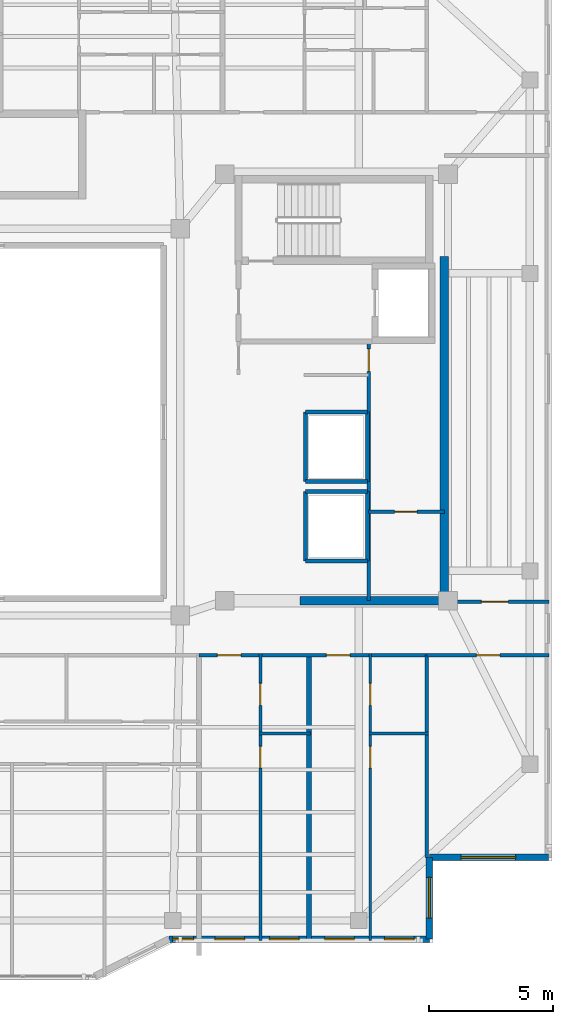
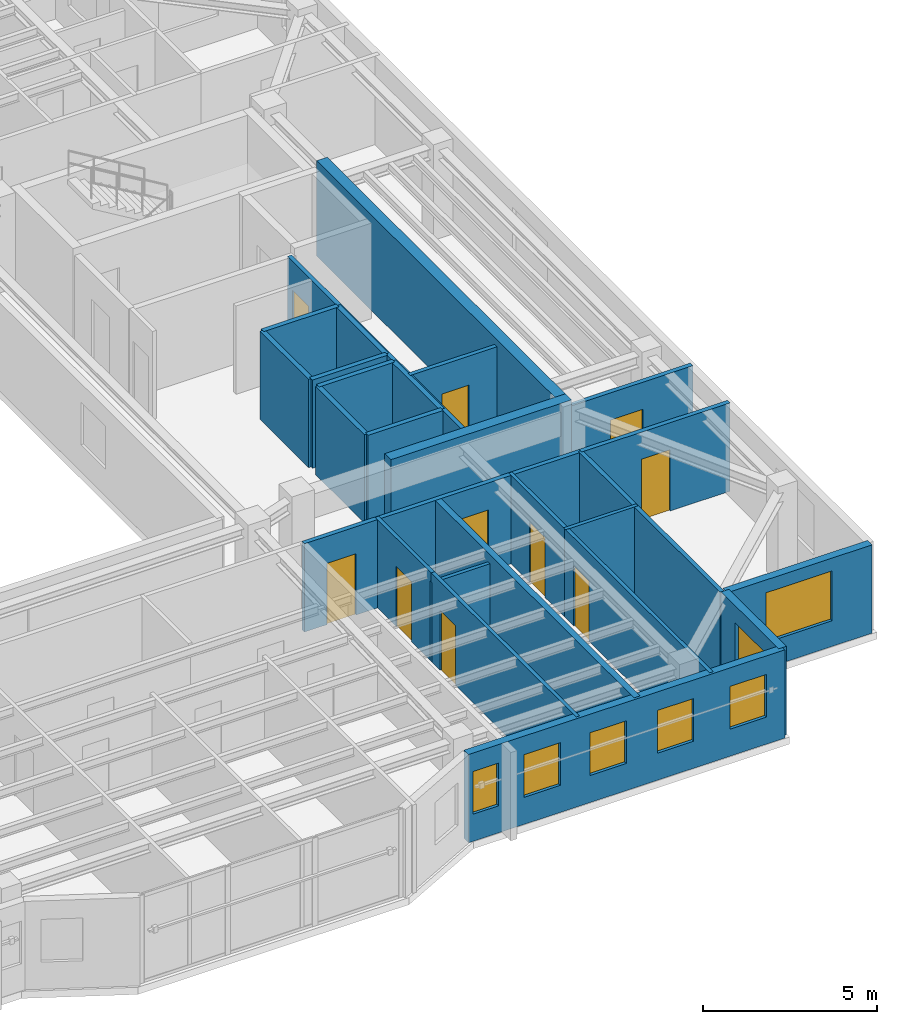
# One storey, part 8 of 14: 26 walls, 10 doors, 7 windows, 17 openings.
"""IFC4 building model written with IfcOpenShell, lengths in metres."""

from ifc_helpers import new_model, si_unit, direction, frame, frame_2d, origin, place, context, subcontext, project, spatial, rectangle, extrude, material, layer, layer_set, type_object, element, fill, save


model = new_model("IFC4")

# Units and contexts
model_context = context("Model", 3, precision=1e-05, world=origin(), true_north=direction((0.0, 1.0)))
body_context = subcontext(model_context, "Body", "Model", "MODEL_VIEW")
ifc_project = project(units=[si_unit("LENGTHUNIT", "METRE"), si_unit("AREAUNIT", "SQUARE_METRE"), si_unit("VOLUMEUNIT", "CUBIC_METRE"), si_unit("PLANEANGLEUNIT", "RADIAN"), si_unit("MASSUNIT", "GRAM", prefix="KILO")], contexts=[model_context])

# Site, building, storey
site_placement = place(None, origin())
site = spatial("IfcSite", under=ifc_project, at=site_placement, CompositionType="ELEMENT")
building_placement = place(site_placement, origin())
building = spatial("IfcBuilding", under=site, at=building_placement, Name="Tarnavaz Court Tower", CompositionType="ELEMENT")
storey_placement = place(building_placement, frame((0.0, 0.0, 264.949951171875)))
storey = spatial("IfcBuildingStorey", under=building, at=storey_placement, Name="L72", CompositionType="ELEMENT", Elevation=264.949951171875)

# Walls
ifc_material_1 = material(Name="Concrete C50/60", Category="concrete")
ifc_layer_1 = layer(ifc_material_1, 0.35009765625)
ifc_layer_set_1 = layer_set([ifc_layer_1], Name="Concrete C50/60")
wall_type_1 = type_object("IfcWallType", Name="WL-CORE-350-C50", PredefinedType="SHEAR", material=ifc_layer_set_1)
wall_1_placement = place(storey_placement, frame((18.449951171875, -7.375, 0.0), z_axis=(0.0, 0.0, 1.0), x_axis=(0.0, 1.0, 0.0)))
element("IfcWall", 1, at=wall_1_placement, inside=storey, type_object=wall_type_1, Name="L72 East Core Shear Wall 047", PredefinedType="SHEAR", context=body_context, shape_type="SweptSolid", body=[
    extrude(rectangle(XDim=14.050048828125, YDim=0.35009765625, at=frame_2d((7.02490234375, 0.0))), origin(), (0.0, 0.0, 1.0), 3.35009765625),
])
wall_2_placement = place(storey_placement, frame((12.625, -7.199951171875, 0.0), z_axis=(0.0, 0.0, 1.0), x_axis=(1.0, 0.0, 0.0)))
element("IfcWall", 2, at=wall_2_placement, inside=storey, type_object=wall_type_1, Name="L72 East Core South Shear Wall 048", PredefinedType="SHEAR", context=body_context, shape_type="SweptSolid", body=[
    extrude(rectangle(XDim=6.0, YDim=0.35009765625, at=frame_2d((3.0, 0.0))), origin(), (0.0, 0.0, 1.0), 3.35009765625),
])

# Wall, opening, window
ifc_material_2 = material(Name="Precast Concrete C40/50", Category="concrete")
ifc_layer_2 = layer(ifc_material_2, 0.260009765625)
ifc_layer_set_2 = layer_set([ifc_layer_2], Name="Precast Concrete C40/50")
wall_type_2 = type_object("IfcWallType", Name="WL-EXT-260", PredefinedType="SOLIDWALL", material=ifc_layer_set_2)
wall_3_placement = place(storey_placement, frame((22.64990234375, -17.550048828125, 0.0), z_axis=(0.0, 0.0, 1.0), x_axis=(-1.0, 0.0, 0.0)))
wall_3 = element("IfcWall", 3, at=wall_3_placement, inside=storey, type_object=wall_type_2, Name="L72 Exterior Terracotta Facade Wall 13", PredefinedType="SOLIDWALL", context=body_context, shape_type="SweptSolid", body=[
    extrude(rectangle(XDim=4.7998046875, YDim=0.260009765625, at=frame_2d((2.39990234375, 0.0))), origin(), (0.0, 0.0, 1.0), 3.10009765625),
])
opening_1_placement = place(wall_3_placement, frame((1.3251953125, 0.0, 0.89990234375)))
opening_1 = element("IfcOpeningElement", 4, at=opening_1_placement, cuts=wall_3, Name="Opening W07", PredefinedType="OPENING", context=body_context, shape_type="SweptSolid", body=[
    extrude(rectangle(XDim=2.199951171875, YDim=1.75, at=frame_2d((1.10009765625, 0.875))), frame((0.0, 0.139892578125, 0.0), z_axis=(0.0, -1.0, 0.0), x_axis=(1.0, 0.0, 0.0)), (0.0, 0.0, 1.0), 0.280029296875),
])
ifc_material_3 = material(Name="Double-Glazed Solar Low-E Glass", Category="glass")
window_type_1 = type_object("IfcWindowType", Name="WN-APT-2200", PartitioningType="TRIPLE_PANEL_VERTICAL", PredefinedType="WINDOW", material=ifc_material_3)
window_1_placement = place(opening_1_placement, origin())
window_1 = element("IfcWindow", 5, at=window_1_placement, inside=storey, type_object=window_type_1, Name="L72 South-East Corner Reading Room Window", OverallHeight=1.75, OverallWidth=2.199951171875, PartitioningType="SINGLE_PANEL", PredefinedType="WINDOW", context=body_context, shape_type="SweptSolid", body=[
    extrude(rectangle(XDim=2.199951171875, YDim=1.75, at=frame_2d((1.10009765625, 0.875))), frame((0.0, 0.030029296875, 0.0), z_axis=(0.0, -1.0, 0.0), x_axis=(1.0, 0.0, 0.0)), (0.0, 0.0, 1.0), 0.06005859375),
])
fill(opening_1, window_1)

wall_4_placement = place(storey_placement, frame((17.85009765625, -17.550048828125, 0.0), z_axis=(0.0, 0.0, 1.0), x_axis=(0.0, -1.0, 0.0)))
wall_4 = element("IfcWall", 6, at=wall_4_placement, inside=storey, type_object=wall_type_2, Name="L72 Exterior Terracotta Facade Wall 14", PredefinedType="SOLIDWALL", context=body_context, shape_type="SweptSolid", body=[
    extrude(rectangle(XDim=3.300048828125, YDim=0.260009765625, at=frame_2d((1.64990234375, 0.0))), origin(), (0.0, 0.0, 1.0), 3.10009765625),
])
opening_2_placement = place(wall_4_placement, frame((0.8076171875, 0.0, 0.89990234375)))
opening_2 = element("IfcOpeningElement", 7, at=opening_2_placement, cuts=wall_4, Name="Opening W02", PredefinedType="OPENING", context=body_context, shape_type="SweptSolid", body=[
    extrude(rectangle(XDim=1.64990234375, YDim=1.60009765625, at=frame_2d((0.824951171875, 0.800048828125))), frame((0.0, 0.139892578125, 0.0), z_axis=(0.0, -1.0, 0.0), x_axis=(1.0, 0.0, 0.0)), (0.0, 0.0, 1.0), 0.280029296875),
])
window_type_2 = type_object("IfcWindowType", Name="WN-APT-1650", PartitioningType="DOUBLE_PANEL_VERTICAL", PredefinedType="WINDOW", material=ifc_material_3)
window_2_placement = place(opening_2_placement, origin())
window_2 = element("IfcWindow", 8, at=window_2_placement, inside=storey, type_object=window_type_2, Name="L72 Flat 09 Kitchen Window", OverallHeight=1.60009765625, OverallWidth=1.64990234375, PartitioningType="SINGLE_PANEL", PredefinedType="WINDOW", context=body_context, shape_type="SweptSolid", body=[
    extrude(rectangle(XDim=1.64990234375, YDim=1.60009765625, at=frame_2d((0.824951171875, 0.800048828125))), frame((0.0, 0.030029296875, 0.0), z_axis=(0.0, -1.0, 0.0), x_axis=(1.0, 0.0, 0.0)), (0.0, 0.0, 1.0), 0.06005859375),
])
fill(opening_2, window_2)

# Wall, openings, windows
wall_5_placement = place(storey_placement, frame((17.85009765625, -20.85009765625, 0.0), z_axis=(0.0, 0.0, 1.0), x_axis=(-1.0, 0.0, 0.0)))
wall_5 = element("IfcWall", 9, at=wall_5_placement, inside=storey, type_object=wall_type_2, Name="L72 Exterior Terracotta Facade Wall 15", PredefinedType="SOLIDWALL", context=body_context, shape_type="SweptSolid", body=[
    extrude(rectangle(XDim=10.5, YDim=0.260009765625, at=frame_2d((5.25, 0.0))), origin(), (0.0, 0.0, 1.0), 3.10009765625),
])
opening_3_placement = place(wall_5_placement, frame((0.613037109375, 0.0, 0.949951171875)))
opening_3 = element("IfcOpeningElement", 10, at=opening_3_placement, cuts=wall_5, Name="Opening W05", PredefinedType="OPENING", context=body_context, shape_type="SweptSolid", body=[
    extrude(rectangle(XDim=1.199951171875, YDim=1.5, at=frame_2d((0.60009765625, 0.75))), frame((0.0, 0.139892578125, 0.0), z_axis=(0.0, -1.0, 0.0), x_axis=(1.0, 0.0, 0.0)), (0.0, 0.0, 1.0), 0.280029296875),
])
opening_4_placement = place(wall_5_placement, frame((3.02490234375, 0.0, 0.949951171875)))
opening_4 = element("IfcOpeningElement", 11, at=opening_4_placement, cuts=wall_5, Name="Opening W05", PredefinedType="OPENING", context=body_context, shape_type="SweptSolid", body=[
    extrude(rectangle(XDim=1.199951171875, YDim=1.5, at=frame_2d((0.60009765625, 0.75))), frame((0.0, 0.139892578125, 0.0), z_axis=(0.0, -1.0, 0.0), x_axis=(1.0, 0.0, 0.0)), (0.0, 0.0, 1.0), 0.280029296875),
])
opening_5_placement = place(wall_5_placement, frame((5.258056640625, 0.0, 0.949951171875)))
opening_5 = element("IfcOpeningElement", 12, at=opening_5_placement, cuts=wall_5, Name="Opening W05", PredefinedType="OPENING", context=body_context, shape_type="SweptSolid", body=[
    extrude(rectangle(XDim=1.199951171875, YDim=1.5, at=frame_2d((0.60009765625, 0.75))), frame((0.0, 0.139892578125, 0.0), z_axis=(0.0, -1.0, 0.0), x_axis=(1.0, 0.0, 0.0)), (0.0, 0.0, 1.0), 0.280029296875),
])
opening_6_placement = place(wall_5_placement, frame((7.449951171875, 0.0, 0.949951171875)))
opening_6 = element("IfcOpeningElement", 13, at=opening_6_placement, cuts=wall_5, Name="Opening W05", PredefinedType="OPENING", context=body_context, shape_type="SweptSolid", body=[
    extrude(rectangle(XDim=1.199951171875, YDim=1.5, at=frame_2d((0.60009765625, 0.75))), frame((0.0, 0.139892578125, 0.0), z_axis=(0.0, -1.0, 0.0), x_axis=(1.0, 0.0, 0.0)), (0.0, 0.0, 1.0), 0.280029296875),
])
opening_7_placement = place(wall_5_placement, frame((9.5048828125, 0.0, 0.949951171875)))
opening_7 = element("IfcOpeningElement", 14, at=opening_7_placement, cuts=wall_5, Name="Opening W15", PredefinedType="OPENING", context=body_context, shape_type="SweptSolid", body=[
    extrude(rectangle(XDim=0.85009765625, YDim=1.5, at=frame_2d((0.425048828125, 0.75))), frame((0.0, 0.139892578125, 0.0), z_axis=(0.0, -1.0, 0.0), x_axis=(1.0, 0.0, 0.0)), (0.0, 0.0, 1.0), 0.280029296875),
])
window_type_3 = type_object("IfcWindowType", Name="WN-APT-1200", PartitioningType="SINGLE_PANEL", PredefinedType="WINDOW", material=ifc_material_3)
window_3_placement = place(opening_3_placement, origin())
window_3 = element("IfcWindow", 15, at=window_3_placement, inside=storey, type_object=window_type_3, Name="L72 Flat 09 Kitchen Window", OverallHeight=1.5, OverallWidth=1.199951171875, PartitioningType="SINGLE_PANEL", PredefinedType="WINDOW", context=body_context, shape_type="SweptSolid", body=[
    extrude(rectangle(XDim=1.199951171875, YDim=1.5, at=frame_2d((0.60009765625, 0.75))), frame((0.0, 0.030029296875, 0.0), z_axis=(0.0, -1.0, 0.0), x_axis=(1.0, 0.0, 0.0)), (0.0, 0.0, 1.0), 0.06005859375),
])
fill(opening_3, window_3)
window_4_placement = place(opening_4_placement, origin())
window_4 = element("IfcWindow", 16, at=window_4_placement, inside=storey, type_object=window_type_3, Name="L72 Flat 09 Studio Living and Sleeping Room Window", OverallHeight=1.5, OverallWidth=1.199951171875, PartitioningType="SINGLE_PANEL", PredefinedType="WINDOW", context=body_context, shape_type="SweptSolid", body=[
    extrude(rectangle(XDim=1.199951171875, YDim=1.5, at=frame_2d((0.60009765625, 0.75))), frame((0.0, 0.030029296875, 0.0), z_axis=(0.0, -1.0, 0.0), x_axis=(1.0, 0.0, 0.0)), (0.0, 0.0, 1.0), 0.06005859375),
])
fill(opening_4, window_4)
window_5_placement = place(opening_5_placement, origin())
window_5 = element("IfcWindow", 17, at=window_5_placement, inside=storey, type_object=window_type_3, Name="L72 Flat 08 Kitchen Window", OverallHeight=1.5, OverallWidth=1.199951171875, PartitioningType="SINGLE_PANEL", PredefinedType="WINDOW", context=body_context, shape_type="SweptSolid", body=[
    extrude(rectangle(XDim=1.199951171875, YDim=1.5, at=frame_2d((0.60009765625, 0.75))), frame((0.0, 0.030029296875, 0.0), z_axis=(0.0, -1.0, 0.0), x_axis=(1.0, 0.0, 0.0)), (0.0, 0.0, 1.0), 0.06005859375),
])
fill(opening_5, window_5)
window_6_placement = place(opening_6_placement, origin())
window_6 = element("IfcWindow", 18, at=window_6_placement, inside=storey, type_object=window_type_3, Name="L72 Flat 08 Studio Living and Sleeping Room Window", OverallHeight=1.5, OverallWidth=1.199951171875, PartitioningType="SINGLE_PANEL", PredefinedType="WINDOW", context=body_context, shape_type="SweptSolid", body=[
    extrude(rectangle(XDim=1.199951171875, YDim=1.5, at=frame_2d((0.60009765625, 0.75))), frame((0.0, 0.030029296875, 0.0), z_axis=(0.0, -1.0, 0.0), x_axis=(1.0, 0.0, 0.0)), (0.0, 0.0, 1.0), 0.06005859375),
])
fill(opening_6, window_6)
window_type_4 = type_object("IfcWindowType", Name="WN-APT-850", PartitioningType="SINGLE_PANEL", PredefinedType="WINDOW", material=ifc_material_3)
window_7_placement = place(opening_7_placement, origin())
window_7 = element("IfcWindow", 19, at=window_7_placement, inside=storey, type_object=window_type_4, Name="L72 Flat 10 Bedroom 3 Window", OverallHeight=1.5, OverallWidth=0.85009765625, PartitioningType="SINGLE_PANEL", PredefinedType="WINDOW", context=body_context, shape_type="SweptSolid", body=[
    extrude(rectangle(XDim=0.85009765625, YDim=1.5, at=frame_2d((0.425048828125, 0.75))), frame((0.0, 0.030029296875, 0.0), z_axis=(0.0, -1.0, 0.0), x_axis=(1.0, 0.0, 0.0)), (0.0, 0.0, 1.0), 0.06005859375),
])
fill(opening_7, window_7)

# Wall, openings, doors
ifc_material_4 = material(Name="Gypsum Fire-Board on Acoustic Metal Stud", Category="masonry")
ifc_layer_3 = layer(ifc_material_4, 0.14990234375)
ifc_layer_set_3 = layer_set([ifc_layer_3], Name="Gypsum Fire-Board on Acoustic Metal Stud")
wall_type_3 = type_object("IfcWallType", Name="WL-FIRE-150", PredefinedType="PARTITIONING", material=ifc_layer_set_3)
wall_6_placement = place(storey_placement, frame((8.550048828125, -9.39990234375, 0.0), z_axis=(0.0, 0.0, 1.0), x_axis=(1.0, 0.0, 0.0)))
wall_6 = element("IfcWall", 20, at=wall_6_placement, inside=storey, type_object=wall_type_3, Name="L72 SE Lobby Wall 059", PredefinedType="PARTITIONING", context=body_context, shape_type="SweptSolid", body=[
    extrude(rectangle(XDim=9.199951171875, YDim=0.14990234375, at=frame_2d((4.60009765625, 0.0))), origin(), (0.0, 0.0, 1.0), 3.10009765625),
])
opening_8_placement = place(wall_6_placement, frame((0.75, 0.0, 0.0)))
opening_8 = element("IfcOpeningElement", 21, at=opening_8_placement, cuts=wall_6, Name="Opening D06", PredefinedType="OPENING", context=body_context, shape_type="SweptSolid", body=[
    extrude(rectangle(XDim=0.9599609375, YDim=2.14990234375, at=frame_2d((0.47998046875, 1.074951171875))), frame((0.0, 0.0849609375, 0.0), z_axis=(0.0, -1.0, 0.0), x_axis=(1.0, 0.0, 0.0)), (0.0, 0.0, 1.0), 0.169921875),
])
opening_9_placement = place(wall_6_placement, frame((5.14208984375, 0.0, 0.0)))
opening_9 = element("IfcOpeningElement", 22, at=opening_9_placement, cuts=wall_6, Name="Opening D06", PredefinedType="OPENING", context=body_context, shape_type="SweptSolid", body=[
    extrude(rectangle(XDim=0.9599609375, YDim=2.14990234375, at=frame_2d((0.47998046875, 1.074951171875))), frame((0.0, 0.0849609375, 0.0), z_axis=(0.0, -1.0, 0.0), x_axis=(1.0, 0.0, 0.0)), (0.0, 0.0, 1.0), 0.169921875),
])
ifc_material_5 = material(Name="Fire-Rated Hardwood Timber Core", Category="wood")
door_type_1 = type_object("IfcDoorType", Name="DR-FD60-950", OperationType="NOTDEFINED", PredefinedType="DOOR", material=ifc_material_5)
door_1_placement = place(opening_8_placement, origin())
door_1 = element("IfcDoor", 23, at=door_1_placement, inside=storey, type_object=door_type_1, Name="L72 Flat 08 Entrance Door", OperationType="SINGLE_SWING_LEFT", OverallHeight=2.14990234375, OverallWidth=0.9599609375, PredefinedType="DOOR", context=body_context, shape_type="SweptSolid", body=[
    extrude(rectangle(XDim=0.9599609375, YDim=2.14990234375, at=frame_2d((0.47998046875, 1.074951171875))), frame((0.0, 0.02490234375, 0.0), z_axis=(0.0, -1.0, 0.0), x_axis=(1.0, 0.0, 0.0)), (0.0, 0.0, 1.0), 0.050048828125),
])
fill(opening_8, door_1)
door_2_placement = place(opening_9_placement, origin())
door_2 = element("IfcDoor", 24, at=door_2_placement, inside=storey, type_object=door_type_1, Name="L72 Flat 09 Entrance Door", OperationType="SINGLE_SWING_RIGHT", OverallHeight=2.14990234375, OverallWidth=0.9599609375, PredefinedType="DOOR", context=body_context, shape_type="SweptSolid", body=[
    extrude(rectangle(XDim=0.9599609375, YDim=2.14990234375, at=frame_2d((0.47998046875, 1.074951171875))), frame((0.0, 0.02490234375, 0.0), z_axis=(0.0, -1.0, 0.0), x_axis=(1.0, 0.0, 0.0)), (0.0, 0.0, 1.0), 0.050048828125),
])
fill(opening_9, door_2)

# Wall, opening, door
wall_7_placement = place(storey_placement, frame((18.449951171875, -7.25, 0.0), z_axis=(0.0, 0.0, 1.0), x_axis=(1.0, 0.0, 0.0)))
wall_7 = element("IfcWall", 25, at=wall_7_placement, inside=storey, type_object=wall_type_3, Name="L72 Interior Partition 111", PredefinedType="PARTITIONING", context=body_context, shape_type="SweptSolid", body=[
    extrude(rectangle(XDim=4.22998046875, YDim=0.14990234375, at=frame_2d((2.114990234375, 0.0))), origin(), (0.0, 0.0, 1.0), 3.10009765625),
])
opening_10_placement = place(wall_7_placement, frame((1.5, 0.0, 0.0)))
opening_10 = element("IfcOpeningElement", 26, at=opening_10_placement, cuts=wall_7, Name="Opening D12", PredefinedType="OPENING", context=body_context, shape_type="SweptSolid", body=[
    extrude(rectangle(XDim=1.080078125, YDim=2.14990234375, at=frame_2d((0.5400390625, 1.074951171875))), frame((0.0, 0.0849609375, 0.0), z_axis=(0.0, -1.0, 0.0), x_axis=(1.0, 0.0, 0.0)), (0.0, 0.0, 1.0), 0.169921875),
])
ifc_material_6 = material(Name="Engineered Oak Timber", Category="wood")
door_type_2 = type_object("IfcDoorType", Name="DR-INT-1100", OperationType="NOTDEFINED", PredefinedType="DOOR", material=ifc_material_6)
door_3_placement = place(opening_10_placement, origin())
door_3 = element("IfcDoor", 27, at=door_3_placement, inside=storey, type_object=door_type_2, Name="L72 East Fitness Lounge Door", OperationType="SINGLE_SWING_LEFT", OverallHeight=2.14990234375, OverallWidth=1.080078125, PredefinedType="DOOR", context=body_context, shape_type="SweptSolid", body=[
    extrude(rectangle(XDim=1.080078125, YDim=2.14990234375, at=frame_2d((0.5400390625, 1.074951171875))), frame((0.0, 0.02490234375, 0.0), z_axis=(0.0, -1.0, 0.0), x_axis=(1.0, 0.0, 0.0)), (0.0, 0.0, 1.0), 0.050048828125),
])
fill(opening_10, door_3)

wall_8_placement = place(storey_placement, frame((17.75, -9.39990234375, 0.0), z_axis=(0.0, 0.0, 1.0), x_axis=(1.0, 0.0, 0.0)))
wall_8 = element("IfcWall", 28, at=wall_8_placement, inside=storey, type_object=wall_type_3, Name="L72 Interior Partition 120", PredefinedType="PARTITIONING", context=body_context, shape_type="SweptSolid", body=[
    extrude(rectangle(XDim=4.929931640625, YDim=0.14990234375, at=frame_2d((2.46484375, 0.0))), origin(), (0.0, 0.0, 1.0), 3.10009765625),
])
opening_11_placement = place(wall_8_placement, frame((1.989990234375, 0.0, 0.0)))
opening_11 = element("IfcOpeningElement", 29, at=opening_11_placement, cuts=wall_8, Name="Opening D13", PredefinedType="OPENING", context=body_context, shape_type="SweptSolid", body=[
    extrude(rectangle(XDim=0.949951171875, YDim=2.14990234375, at=frame_2d((0.47509765625, 1.074951171875))), frame((0.0, 0.0849609375, 0.0), z_axis=(0.0, -1.0, 0.0), x_axis=(1.0, 0.0, 0.0)), (0.0, 0.0, 1.0), 0.169921875),
])
door_type_3 = type_object("IfcDoorType", Name="DR-INT-950", OperationType="NOTDEFINED", PredefinedType="DOOR", material=ifc_material_6)
door_4_placement = place(opening_11_placement, origin())
door_4 = element("IfcDoor", 30, at=door_4_placement, inside=storey, type_object=door_type_3, Name="L72 SE Reading Room Door", OperationType="SINGLE_SWING_LEFT", OverallHeight=2.14990234375, OverallWidth=0.949951171875, PredefinedType="DOOR", context=body_context, shape_type="SweptSolid", body=[
    extrude(rectangle(XDim=0.949951171875, YDim=2.14990234375, at=frame_2d((0.47509765625, 1.074951171875))), frame((0.0, 0.02490234375, 0.0), z_axis=(0.0, -1.0, 0.0), x_axis=(1.0, 0.0, 0.0)), (0.0, 0.0, 1.0), 0.050048828125),
])
fill(opening_11, door_4)

# Wall
ifc_material_7 = material(Name="Autoclaved Aerated Concrete Blockwork", Category="masonry")
ifc_layer_4 = layer(ifc_material_7, 0.199951171875)
ifc_layer_set_4 = layer_set([ifc_layer_4], Name="Autoclaved Aerated Concrete Blockwork")
wall_type_4 = type_object("IfcWallType", Name="WL-FIRE-200", PredefinedType="SOLIDWALL", material=ifc_layer_set_4)
wall_9_placement = place(storey_placement, frame((12.991943359375, -20.89990234375, 0.0), z_axis=(0.0, 0.0, 1.0), x_axis=(0.0, 1.0, 0.0)))
element("IfcWall", 31, at=wall_9_placement, inside=storey, type_object=wall_type_4, Name="L72 Party Wall 092", PredefinedType="SOLIDWALL", context=body_context, shape_type="SweptSolid", body=[
    extrude(rectangle(XDim=11.5, YDim=0.199951171875, at=frame_2d((5.75, 0.0))), origin(), (0.0, 0.0, 1.0), 3.10009765625),
])

# Wall, opening, door
ifc_material_8 = material(Name="Moisture-Resistant Gypsum Board Partition", Category="masonry")
ifc_layer_5 = layer(ifc_material_8, 0.1201171875)
ifc_layer_set_5 = layer_set([ifc_layer_5], Name="Moisture-Resistant Gypsum Board Partition")
wall_type_5 = type_object("IfcWallType", Name="WL-PART-120", PredefinedType="PARTITIONING", material=ifc_layer_set_5)
wall_10_placement = place(storey_placement, frame((11.031982421875, -20.89990234375, 0.0), z_axis=(0.0, 0.0, 1.0), x_axis=(0.0, 1.0, 0.0)))
wall_10 = element("IfcWall", 32, at=wall_10_placement, inside=storey, type_object=wall_type_5, Name="L72 Interior Partition 093", PredefinedType="PARTITIONING", context=body_context, shape_type="SweptSolid", body=[
    extrude(rectangle(XDim=8.33984375, YDim=0.1201171875, at=frame_2d((4.169921875, 0.0))), origin(), (0.0, 0.0, 1.0), 3.10009765625),
])
opening_12_placement = place(wall_10_placement, frame((6.93994140625, 0.0, 0.0)))
opening_12 = element("IfcOpeningElement", 33, at=opening_12_placement, cuts=wall_10, Name="Opening D14", PredefinedType="OPENING", context=body_context, shape_type="SweptSolid", body=[
    extrude(rectangle(XDim=0.8798828125, YDim=2.10009765625, at=frame_2d((0.43994140625, 1.050048828125))), frame((0.0, 0.070068359375, 0.0), z_axis=(0.0, -1.0, 0.0), x_axis=(1.0, 0.0, 0.0)), (0.0, 0.0, 1.0), 0.14013671875),
])
door_type_4 = type_object("IfcDoorType", Name="DR-INT-900", OperationType="NOTDEFINED", PredefinedType="DOOR", material=ifc_material_6)
door_5_placement = place(opening_12_placement, origin())
door_5 = element("IfcDoor", 34, at=door_5_placement, inside=storey, type_object=door_type_4, Name="L72 Flat 08 Kitchen Door", OperationType="SINGLE_SWING_RIGHT", OverallHeight=2.10009765625, OverallWidth=0.8798828125, PredefinedType="DOOR", context=body_context, shape_type="SweptSolid", body=[
    extrude(rectangle(XDim=0.8798828125, YDim=2.10009765625, at=frame_2d((0.43994140625, 1.050048828125))), frame((0.0, 0.02490234375, 0.0), z_axis=(0.0, -1.0, 0.0), x_axis=(1.0, 0.0, 0.0)), (0.0, 0.0, 1.0), 0.050048828125),
])
fill(opening_12, door_5)

wall_11_placement = place(storey_placement, frame((11.031982421875, -12.56005859375, 0.0), z_axis=(0.0, 0.0, 1.0), x_axis=(0.0, 1.0, 0.0)))
wall_11 = element("IfcWall", 35, at=wall_11_placement, inside=storey, type_object=wall_type_5, Name="L72 Interior Partition 094", PredefinedType="PARTITIONING", context=body_context, shape_type="SweptSolid", body=[
    extrude(rectangle(XDim=3.219970703125, YDim=0.1201171875, at=frame_2d((1.60986328125, 0.0))), origin(), (0.0, 0.0, 1.0), 3.10009765625),
])
opening_13_placement = place(wall_11_placement, frame((1.139892578125, 0.0, 0.0)))
opening_13 = element("IfcOpeningElement", 36, at=opening_13_placement, cuts=wall_11, Name="Opening D14", PredefinedType="OPENING", context=body_context, shape_type="SweptSolid", body=[
    extrude(rectangle(XDim=0.8798828125, YDim=2.10009765625, at=frame_2d((0.43994140625, 1.050048828125))), frame((0.0, 0.070068359375, 0.0), z_axis=(0.0, -1.0, 0.0), x_axis=(1.0, 0.0, 0.0)), (0.0, 0.0, 1.0), 0.14013671875),
])
door_6_placement = place(opening_13_placement, origin())
door_6 = element("IfcDoor", 37, at=door_6_placement, inside=storey, type_object=door_type_4, Name="L72 Flat 08 Bathroom Door", OperationType="SINGLE_SWING_LEFT", OverallHeight=2.10009765625, OverallWidth=0.8798828125, PredefinedType="DOOR", context=body_context, shape_type="SweptSolid", body=[
    extrude(rectangle(XDim=0.8798828125, YDim=2.10009765625, at=frame_2d((0.43994140625, 1.050048828125))), frame((0.0, 0.02490234375, 0.0), z_axis=(0.0, -1.0, 0.0), x_axis=(1.0, 0.0, 0.0)), (0.0, 0.0, 1.0), 0.050048828125),
])
fill(opening_13, door_6)

# Wall
wall_12_placement = place(storey_placement, frame((10.971923828125, -12.56005859375, 0.0), z_axis=(0.0, 0.0, 1.0), x_axis=(1.0, 0.0, 0.0)))
element("IfcWall", 38, at=wall_12_placement, inside=storey, type_object=wall_type_5, Name="L72 Interior Partition 095", PredefinedType="PARTITIONING", context=body_context, shape_type="SweptSolid", body=[
    extrude(rectangle(XDim=2.080078125, YDim=0.1201171875, at=frame_2d((1.0400390625, 0.0))), origin(), (0.0, 0.0, 1.0), 2.78515625),
])

# Wall, opening, door
wall_13_placement = place(storey_placement, frame((15.464111328125, -20.89990234375, 0.0), z_axis=(0.0, 0.0, 1.0), x_axis=(0.0, 1.0, 0.0)))
wall_13 = element("IfcWall", 39, at=wall_13_placement, inside=storey, type_object=wall_type_5, Name="L72 Interior Partition 096", PredefinedType="PARTITIONING", context=body_context, shape_type="SweptSolid", body=[
    extrude(rectangle(XDim=8.33984375, YDim=0.1201171875, at=frame_2d((4.169921875, 0.0))), origin(), (0.0, 0.0, 1.0), 3.10009765625),
])
opening_14_placement = place(wall_13_placement, frame((6.93994140625, 0.0, 0.0)))
opening_14 = element("IfcOpeningElement", 40, at=opening_14_placement, cuts=wall_13, Name="Opening D14", PredefinedType="OPENING", context=body_context, shape_type="SweptSolid", body=[
    extrude(rectangle(XDim=0.8798828125, YDim=2.10009765625, at=frame_2d((0.43994140625, 1.050048828125))), frame((0.0, 0.070068359375, 0.0), z_axis=(0.0, -1.0, 0.0), x_axis=(1.0, 0.0, 0.0)), (0.0, 0.0, 1.0), 0.14013671875),
])
door_7_placement = place(opening_14_placement, origin())
door_7 = element("IfcDoor", 41, at=door_7_placement, inside=storey, type_object=door_type_4, Name="L72 Flat 09 Kitchen Door", OperationType="SINGLE_SWING_LEFT", OverallHeight=2.10009765625, OverallWidth=0.8798828125, PredefinedType="DOOR", context=body_context, shape_type="SweptSolid", body=[
    extrude(rectangle(XDim=0.8798828125, YDim=2.10009765625, at=frame_2d((0.43994140625, 1.050048828125))), frame((0.0, 0.02490234375, 0.0), z_axis=(0.0, -1.0, 0.0), x_axis=(1.0, 0.0, 0.0)), (0.0, 0.0, 1.0), 0.050048828125),
])
fill(opening_14, door_7)

wall_14_placement = place(storey_placement, frame((15.464111328125, -12.56005859375, 0.0), z_axis=(0.0, 0.0, 1.0), x_axis=(0.0, 1.0, 0.0)))
wall_14 = element("IfcWall", 42, at=wall_14_placement, inside=storey, type_object=wall_type_5, Name="L72 Interior Partition 097", PredefinedType="PARTITIONING", context=body_context, shape_type="SweptSolid", body=[
    extrude(rectangle(XDim=3.219970703125, YDim=0.1201171875, at=frame_2d((1.60986328125, 0.0))), origin(), (0.0, 0.0, 1.0), 3.10009765625),
])
opening_15_placement = place(wall_14_placement, frame((1.139892578125, 0.0, 0.0)))
opening_15 = element("IfcOpeningElement", 43, at=opening_15_placement, cuts=wall_14, Name="Opening D14", PredefinedType="OPENING", context=body_context, shape_type="SweptSolid", body=[
    extrude(rectangle(XDim=0.8798828125, YDim=2.10009765625, at=frame_2d((0.43994140625, 1.050048828125))), frame((0.0, 0.070068359375, 0.0), z_axis=(0.0, -1.0, 0.0), x_axis=(1.0, 0.0, 0.0)), (0.0, 0.0, 1.0), 0.14013671875),
])
door_8_placement = place(opening_15_placement, origin())
door_8 = element("IfcDoor", 44, at=door_8_placement, inside=storey, type_object=door_type_4, Name="L72 Flat 09 Bathroom Door", OperationType="SINGLE_SWING_RIGHT", OverallHeight=2.10009765625, OverallWidth=0.8798828125, PredefinedType="DOOR", context=body_context, shape_type="SweptSolid", body=[
    extrude(rectangle(XDim=0.8798828125, YDim=2.10009765625, at=frame_2d((0.43994140625, 1.050048828125))), frame((0.0, 0.02490234375, 0.0), z_axis=(0.0, -1.0, 0.0), x_axis=(1.0, 0.0, 0.0)), (0.0, 0.0, 1.0), 0.050048828125),
])
fill(opening_15, door_8)

# Wall
wall_15_placement = place(storey_placement, frame((15.404052734375, -12.56005859375, 0.0), z_axis=(0.0, 0.0, 1.0), x_axis=(1.0, 0.0, 0.0)))
element("IfcWall", 45, at=wall_15_placement, inside=storey, type_object=wall_type_5, Name="L72 Interior Partition 098", PredefinedType="PARTITIONING", context=body_context, shape_type="SweptSolid", body=[
    extrude(rectangle(XDim=2.406005859375, YDim=0.1201171875, at=frame_2d((1.203125, 0.0))), origin(), (0.0, 0.0, 1.0), 3.10009765625),
])

# Wall, opening, door
ifc_material_9 = material(Name="Gypsum Plasterboard Acoustic Partition", Category="masonry")
ifc_layer_6 = layer(ifc_material_9, 0.139892578125)
ifc_layer_set_6 = layer_set([ifc_layer_6], Name="Gypsum Plasterboard Acoustic Partition")
wall_type_6 = type_object("IfcWallType", Name="WL-PART-150", PredefinedType="PARTITIONING", material=ifc_layer_set_6)
wall_16_placement = place(storey_placement, frame((15.39990234375, -7.199951171875, 0.0), z_axis=(0.0, 0.0, 1.0), x_axis=(0.0, 1.0, 0.0)))
wall_16 = element("IfcWall", 46, at=wall_16_placement, inside=storey, type_object=wall_type_6, Name="L72 Interior Partition 054", PredefinedType="PARTITIONING", context=body_context, shape_type="SweptSolid", body=[
    extrude(rectangle(XDim=10.449951171875, YDim=0.139892578125, at=frame_2d((5.22509765625, 0.0))), origin(), (0.0, 0.0, 1.0), 3.10009765625),
])
opening_16_placement = place(wall_16_placement, frame((9.25, 0.0, 0.0)))
opening_16 = element("IfcOpeningElement", 47, at=opening_16_placement, cuts=wall_16, Name="Opening D09", PredefinedType="OPENING", context=body_context, shape_type="SweptSolid", body=[
    extrude(rectangle(XDim=0.89990234375, YDim=2.080078125, at=frame_2d((0.449951171875, 1.0400390625))), frame((0.0, 0.079833984375, 0.0), z_axis=(0.0, -1.0, 0.0), x_axis=(1.0, 0.0, 0.0)), (0.0, 0.0, 1.0), 0.159912109375),
])
door_type_5 = type_object("IfcDoorType", Name="DR-FD30-900", OperationType="NOTDEFINED", PredefinedType="DOOR", material=ifc_material_5)
door_9_placement = place(opening_16_placement, origin())
door_9 = element("IfcDoor", 48, at=door_9_placement, inside=storey, type_object=door_type_5, Name="L72 East Wet Riser Door", OperationType="SINGLE_SWING_RIGHT", OverallHeight=2.080078125, OverallWidth=0.89990234375, PredefinedType="DOOR", context=body_context, shape_type="SweptSolid", body=[
    extrude(rectangle(XDim=0.89990234375, YDim=2.080078125, at=frame_2d((0.449951171875, 1.0400390625))), frame((0.0, 0.02490234375, 0.0), z_axis=(0.0, -1.0, 0.0), x_axis=(1.0, 0.0, 0.0)), (0.0, 0.0, 1.0), 0.050048828125),
])
fill(opening_16, door_9)

wall_17_placement = place(storey_placement, frame((15.39990234375, -3.6201171875, 0.0), z_axis=(0.0, 0.0, 1.0), x_axis=(1.0, 0.0, 0.0)))
wall_17 = element("IfcWall", 49, at=wall_17_placement, inside=storey, type_object=wall_type_6, Name="L72 Interior Partition 055", PredefinedType="PARTITIONING", context=body_context, shape_type="SweptSolid", body=[
    extrude(rectangle(XDim=3.050048828125, YDim=0.139892578125, at=frame_2d((1.52490234375, 0.0))), origin(), (0.0, 0.0, 1.0), 3.10009765625),
])
opening_17_placement = place(wall_17_placement, frame((1.050048828125, 0.0, 0.0)))
opening_17 = element("IfcOpeningElement", 50, at=opening_17_placement, cuts=wall_17, Name="Opening D09", PredefinedType="OPENING", context=body_context, shape_type="SweptSolid", body=[
    extrude(rectangle(XDim=0.89990234375, YDim=2.080078125, at=frame_2d((0.449951171875, 1.0400390625))), frame((0.0, 0.079833984375, 0.0), z_axis=(0.0, -1.0, 0.0), x_axis=(1.0, 0.0, 0.0)), (0.0, 0.0, 1.0), 0.159912109375),
])
door_10_placement = place(opening_17_placement, origin())
door_10 = element("IfcDoor", 51, at=door_10_placement, inside=storey, type_object=door_type_5, Name="L72 East Electrical Plant Door", OperationType="SINGLE_SWING_LEFT", OverallHeight=2.080078125, OverallWidth=0.89990234375, PredefinedType="DOOR", context=body_context, shape_type="SweptSolid", body=[
    extrude(rectangle(XDim=0.89990234375, YDim=2.080078125, at=frame_2d((0.449951171875, 1.0400390625))), frame((0.0, 0.02490234375, 0.0), z_axis=(0.0, -1.0, 0.0), x_axis=(1.0, 0.0, 0.0)), (0.0, 0.0, 1.0), 0.050048828125),
])
fill(opening_17, door_10)

# Walls
wall_18_placement = place(storey_placement, frame((17.75, -17.550048828125, 0.0), z_axis=(0.0, 0.0, 1.0), x_axis=(0.0, 1.0, 0.0)))
element("IfcWall", 52, at=wall_18_placement, inside=storey, type_object=wall_type_6, Name="L72 Interior Partition 114", PredefinedType="PARTITIONING", context=body_context, shape_type="SweptSolid", body=[
    extrude(rectangle(XDim=8.150146484375, YDim=0.139892578125, at=frame_2d((4.0751953125, 0.0))), origin(), (0.0, 0.0, 1.0), 3.10009765625),
])
ifc_layer_7 = layer(ifc_material_7, 0.159912109375)
ifc_layer_set_7 = layer_set([ifc_layer_7], Name="Autoclaved Aerated Concrete Blockwork")
wall_type_7 = type_object("IfcWallType", Name="WL-SHAFT-150", PredefinedType="SOLIDWALL", material=ifc_layer_set_7)
for number, where, z_axis, x_axis, name in (
    (53, (12.85009765625, -5.60009765625, 0.0), (0.0, 0.0, 1.0), (0.0, 1.0, 0.0), "L72 Lift PL-OB1 Shaft Wall 037"),
    (54, (15.35009765625, -5.60009765625, 0.0), (0.0, 0.0, 1.0), (0.0, 1.0, 0.0), "L72 Lift PL-OB1 Shaft Wall 038"),
):
    element("IfcWall", number, at=place(storey_placement, frame(where, z_axis=z_axis, x_axis=x_axis)), inside=storey, type_object=wall_type_7, Name=name, PredefinedType="SOLIDWALL", context=body_context, shape_type="SweptSolid", body=[
        extrude(rectangle(XDim=2.800048828125, YDim=0.159912109375, at=frame_2d((1.39990234375, 0.0))), origin(), (0.0, 0.0, 1.0), 3.10009765625),
    ])
for number, where, z_axis, x_axis, name in (
    (55, (12.85009765625, -5.60009765625, 0.0), (0.0, 0.0, 1.0), (1.0, 0.0, 0.0), "L72 Lift PL-OB1 Shaft Wall 039"),
    (56, (12.85009765625, -2.800048828125, 0.0), (0.0, 0.0, 1.0), (1.0, 0.0, 0.0), "L72 Lift PL-OB1 Shaft Wall 040"),
):
    element("IfcWall", number, at=place(storey_placement, frame(where, z_axis=z_axis, x_axis=x_axis)), inside=storey, type_object=wall_type_7, Name=name, PredefinedType="SOLIDWALL", context=body_context, shape_type="SweptSolid", body=[
        extrude(rectangle(XDim=2.5, YDim=0.159912109375, at=frame_2d((1.25, 0.0))), origin(), (0.0, 0.0, 1.0), 3.10009765625),
    ])
for number, where, z_axis, x_axis, name in (
    (57, (12.85009765625, -2.39990234375, 0.0), (0.0, 0.0, 1.0), (0.0, 1.0, 0.0), "L72 Lift PL-OB2 Shaft Wall 041"),
    (58, (15.35009765625, -2.39990234375, 0.0), (0.0, 0.0, 1.0), (0.0, 1.0, 0.0), "L72 Lift PL-OB2 Shaft Wall 042"),
):
    element("IfcWall", number, at=place(storey_placement, frame(where, z_axis=z_axis, x_axis=x_axis)), inside=storey, type_object=wall_type_7, Name=name, PredefinedType="SOLIDWALL", context=body_context, shape_type="SweptSolid", body=[
        extrude(rectangle(XDim=2.7998046875, YDim=0.159912109375, at=frame_2d((1.39990234375, 0.0))), origin(), (0.0, 0.0, 1.0), 3.10009765625),
    ])
for number, where, z_axis, x_axis, name in (
    (59, (12.85009765625, -2.39990234375, 0.0), (0.0, 0.0, 1.0), (1.0, 0.0, 0.0), "L72 Lift PL-OB2 Shaft Wall 043"),
    (60, (12.85009765625, 0.39990234375, 0.0), (0.0, 0.0, 1.0), (1.0, 0.0, 0.0), "L72 Lift PL-OB2 Shaft Wall 044"),
):
    element("IfcWall", number, at=place(storey_placement, frame(where, z_axis=z_axis, x_axis=x_axis)), inside=storey, type_object=wall_type_7, Name=name, PredefinedType="SOLIDWALL", context=body_context, shape_type="SweptSolid", body=[
        extrude(rectangle(XDim=2.5, YDim=0.159912109375, at=frame_2d((1.25, 0.0))), origin(), (0.0, 0.0, 1.0), 3.10009765625),
    ])

save(model, "model.ifc")
